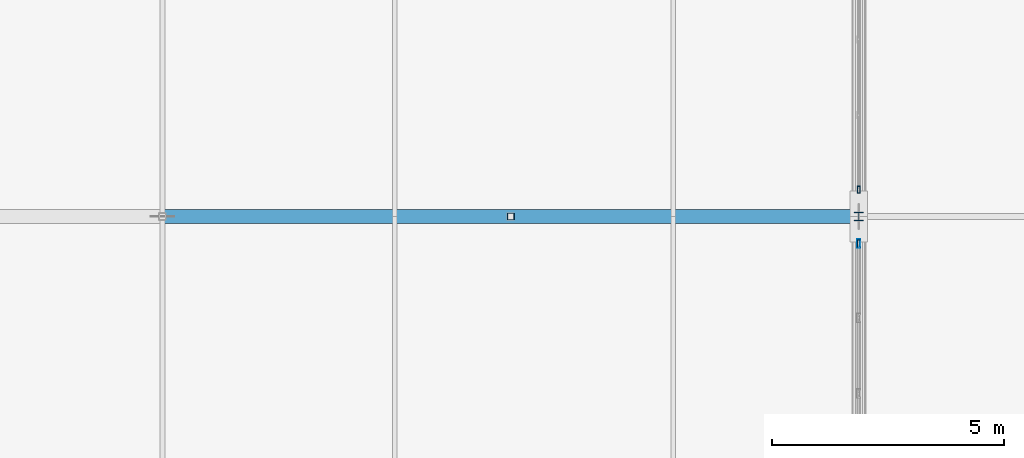
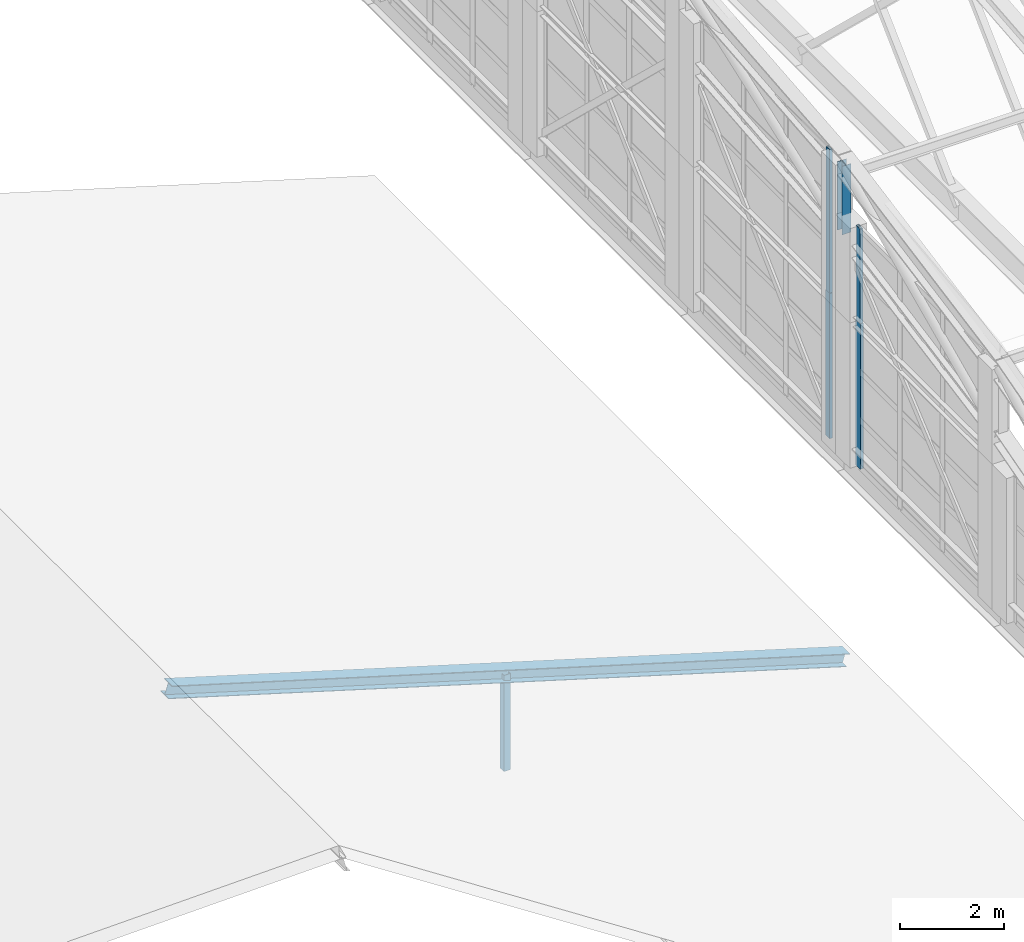
# One storey, part 78 of 204: 7 members, 4 elements without a shape of their own.
"""IFC4 building model written with IfcOpenShell, lengths in metres."""

from ifc_helpers import new_model, si_unit, direction, frame, origin, origin_2d, place, context, subcontext, project, spatial, hollow_rectangle, i_section, extrude, material, layer, layer_set, material_profile, profile_set, type_object, element, aggregate, save


model = new_model("IFC4")

# Units and contexts
model_context = context("Model", 3, precision=1e-05, world=origin(), true_north=direction((0.0, 1.0)))
body_context = subcontext(model_context, "Body", "Model", "MODEL_VIEW")
ifc_project = project(units=[si_unit("LENGTHUNIT", "METRE"), si_unit("AREAUNIT", "SQUARE_METRE"), si_unit("VOLUMEUNIT", "CUBIC_METRE"), si_unit("PLANEANGLEUNIT", "RADIAN"), si_unit("MASSUNIT", "GRAM", prefix="KILO")], contexts=[model_context])

# Site, building, storey
site_placement = place(None, origin())
site = spatial("IfcSite", under=ifc_project, at=site_placement, CompositionType="ELEMENT")
building_placement = place(site_placement, origin())
building = spatial("IfcBuilding", under=site, at=building_placement, Name="Zilviju Railside Exhibition Hall", CompositionType="ELEMENT")
storey_placement = place(building_placement, frame((0.0, 0.0, 21.0)))
storey = spatial("IfcBuildingStorey", under=building, at=storey_placement, Name="RF", CompositionType="ELEMENT", Elevation=21.0)

# Curtain wall, member
ifc_material_1 = material(Name="Thermally broken aluminium-steel triple-glazed curtain wall", Category="steel")
ifc_layer_1 = layer(ifc_material_1, 0.179931640625)
ifc_layer_set_1 = layer_set([ifc_layer_1], Name="Thermally broken aluminium-steel triple-glazed curtain wall")
curtain_wall_type_1 = type_object("IfcCurtainWallType", Name="CW-BAY-09", PredefinedType="USERDEFINED", material=ifc_layer_set_1)
curtain_wall_1_placement = place(storey_placement, origin())
curtain_wall_1 = element("IfcCurtainWall", 1, at=curtain_wall_1_placement, inside=storey, type_object=curtain_wall_type_1, Name="North Hall Crown Arch Tympanum Glazing West P4", ObjectType="GLAZED CURTAIN WALL", PredefinedType="USERDEFINED")
ifc_material_2 = material(Name="Thermally broken anodized aluminium mullion", Category="aluminium")
ifc_material_profile_1 = material_profile(ifc_material_2, hollow_rectangle(XDim=0.06005859375, YDim=0.139892578125, WallThickness=0.0048828125, at=origin_2d()), Name="MULLION 140x60x5")
ifc_profile_set_1 = profile_set([ifc_material_profile_1], Name="Thermally broken anodized aluminium mullion")
member_type_1 = type_object("IfcMemberType", Name="CWM-60x140", PredefinedType="MULLION", material=ifc_profile_set_1)
member_1_placement = place(storey_placement, frame((78.0, 102.580078125, -0.199951171875), z_axis=(0.0, 0.0, 1.0), x_axis=(-1.0, 0.0, 0.0)))
member_1 = element("IfcMember", 2, at=member_1_placement, type_object=member_type_1, Name="CW-09 mullion 1", PredefinedType="MULLION", context=body_context, shape_type="SweptSolid", body=[
    extrude(hollow_rectangle(XDim=0.06005859375, YDim=0.139892578125, WallThickness=0.0048828125, at=origin_2d()), origin(), (0.0, 0.0, 1.0), 3.35546875),
])
aggregate(curtain_wall_1, [member_1])

ifc_layer_2 = layer(ifc_material_1, 0.179931640625)
ifc_layer_set_2 = layer_set([ifc_layer_2], Name="Thermally broken aluminium-steel triple-glazed curtain wall")
curtain_wall_type_2 = type_object("IfcCurtainWallType", Name="CW-BAY-02", PredefinedType="USERDEFINED", material=ifc_layer_set_2)
curtain_wall_2_placement = place(storey_placement, origin())
curtain_wall_2 = element("IfcCurtainWall", 3, at=curtain_wall_2_placement, inside=storey, type_object=curtain_wall_type_2, Name="North Hall Arch Lower Tympanum Glazing West P4", ObjectType="GLAZED CURTAIN WALL", PredefinedType="USERDEFINED")
ifc_material_profile_2 = material_profile(ifc_material_2, hollow_rectangle(XDim=0.06494140625, YDim=0.159912109375, WallThickness=0.0048828125, at=origin_2d()), Name="MULLION 160x65x5")
ifc_profile_set_2 = profile_set([ifc_material_profile_2], Name="Thermally broken anodized aluminium mullion")
member_type_2 = type_object("IfcMemberType", Name="CWM-65x160", PredefinedType="MULLION", material=ifc_profile_set_2)
member_2_placement = place(storey_placement, frame((78.0, 102.58251953125, -3.60009765625), z_axis=(0.0, 0.0, 1.0), x_axis=(-1.0, 0.0, 0.0)))
member_2 = element("IfcMember", 4, at=member_2_placement, type_object=member_type_2, Name="CW-02 mullion 1", PredefinedType="MULLION", context=body_context, shape_type="SweptSolid", body=[
    extrude(hollow_rectangle(XDim=0.06494140625, YDim=0.159912109375, WallThickness=0.0048828125, at=origin_2d()), origin(), (0.0, 0.0, 1.0), 3.400146484375),
])
aggregate(curtain_wall_2, [member_2])

ifc_layer_3 = layer(ifc_material_1, 0.179931640625)
ifc_layer_set_3 = layer_set([ifc_layer_3], Name="Thermally broken aluminium-steel triple-glazed curtain wall")
curtain_wall_type_3 = type_object("IfcCurtainWallType", Name="CW-BAY-08", PredefinedType="USERDEFINED", material=ifc_layer_set_3)
curtain_wall_3_placement = place(storey_placement, origin())
curtain_wall_3 = element("IfcCurtainWall", 5, at=curtain_wall_3_placement, inside=storey, type_object=curtain_wall_type_3, Name="North Hall Crown Arch Tympanum Glazing West P3", ObjectType="GLAZED CURTAIN WALL", PredefinedType="USERDEFINED")
member_3_placement = place(storey_placement, frame((78.0, 101.41748046875, -0.199951171875), z_axis=(0.0, 0.0, 1.0), x_axis=(-1.0, 0.0, 0.0)))
member_3 = element("IfcMember", 6, at=member_3_placement, type_object=member_type_2, Name="CW-08 mullion 4", PredefinedType="MULLION", context=body_context, shape_type="SweptSolid", body=[
    extrude(hollow_rectangle(XDim=0.06494140625, YDim=0.159912109375, WallThickness=0.0048828125, at=origin_2d()), origin(), (0.0, 0.0, 1.0), 2.209716796875),
])
aggregate(curtain_wall_3, [member_3])

ifc_layer_4 = layer(ifc_material_1, 0.179931640625)
ifc_layer_set_4 = layer_set([ifc_layer_4], Name="Thermally broken aluminium-steel triple-glazed curtain wall")
curtain_wall_type_4 = type_object("IfcCurtainWallType", Name="CW-BAY-01", PredefinedType="USERDEFINED", material=ifc_layer_set_4)
curtain_wall_4_placement = place(storey_placement, origin())
curtain_wall_4 = element("IfcCurtainWall", 7, at=curtain_wall_4_placement, inside=storey, type_object=curtain_wall_type_4, Name="North Hall Arch Lower Tympanum Glazing West P3", ObjectType="GLAZED CURTAIN WALL", PredefinedType="USERDEFINED")
ifc_material_profile_3 = material_profile(ifc_material_2, hollow_rectangle(XDim=0.070068359375, YDim=0.179931640625, WallThickness=0.0048828125, at=origin_2d()), Name="MULLION 180x70x5")
ifc_profile_set_3 = profile_set([ifc_material_profile_3], Name="Thermally broken anodized aluminium mullion")
member_type_3 = type_object("IfcMemberType", Name="CWM-70x180", PredefinedType="MULLION", material=ifc_profile_set_3)
member_4_placement = place(storey_placement, frame((78.0, 101.4150390625, -3.60009765625), z_axis=(0.0, 0.0, 1.0), x_axis=(-1.0, 0.0, 0.0)))
member_4 = element("IfcMember", 8, at=member_4_placement, type_object=member_type_3, Name="CW-01 mullion 4", PredefinedType="MULLION", context=body_context, shape_type="SweptSolid", body=[
    extrude(hollow_rectangle(XDim=0.070068359375, YDim=0.179931640625, WallThickness=0.0048828125, at=origin_2d()), origin(), (0.0, 0.0, 1.0), 3.400146484375),
])
aggregate(curtain_wall_4, [member_4])

# Members
ifc_material_3 = material(Name="Steel S355ML", Category="steel")
ifc_material_profile_4 = material_profile(ifc_material_3, i_section(OverallWidth=0.199951171875, OverallDepth=0.18994140625, WebThickness=0.006591796875, FlangeThickness=0.010009765625, at=origin_2d()), Name="HEA 200")
ifc_profile_set_4 = profile_set([ifc_material_profile_4], Name="Steel S355ML")
member_type_4 = type_object("IfcMemberType", Name="TR-POST-HEA200", PredefinedType="POST", material=ifc_profile_set_4)
member_5_placement = place(storey_placement, frame((78.0, 102.0, 1.5556640625), z_axis=(0.0, 0.0, 1.0), x_axis=(1.0, 0.0, 0.0)))
element("IfcMember", 9, at=member_5_placement, inside=storey, type_object=member_type_4, Name="V2 Parabolic Arch Web Post X=78.0 N3", PredefinedType="POST", context=body_context, shape_type="SweptSolid", body=[
    extrude(i_section(OverallWidth=0.199951171875, OverallDepth=0.18994140625, WebThickness=0.006591796875, FlangeThickness=0.010009765625, at=origin_2d()), origin(), (0.0, 0.0, 1.0), 1.599853515625),
])
ifc_material_4 = material(Name="Steel S355J2", Category="steel")
ifc_material_profile_5 = material_profile(ifc_material_4, hollow_rectangle(XDim=0.14990234375, YDim=0.14990234375, WallThickness=0.008056640625, at=origin_2d()), Name="SHS 150x150x8.0")
ifc_profile_set_5 = profile_set([ifc_material_profile_5], Name="Steel S355J2")
member_type_5 = type_object("IfcMemberType", Name="TR-POST-SHS150", PredefinedType="POST", material=ifc_profile_set_5)
member_6_placement = place(storey_placement, frame((70.5, 102.0, -8.39990234375), z_axis=(0.0, 0.0, 1.0), x_axis=(1.0, 0.0, 0.0)))
element("IfcMember", 10, at=member_6_placement, inside=storey, type_object=member_type_5, Name="Concourse Saddle Queen Post Y=102.0", PredefinedType="POST", context=body_context, shape_type="SweptSolid", body=[
    extrude(hollow_rectangle(XDim=0.14990234375, YDim=0.14990234375, WallThickness=0.008056640625, at=origin_2d()), origin(), (0.0, 0.0, 1.0), 2.25),
])
ifc_material_profile_6 = material_profile(ifc_material_4, i_section(OverallWidth=0.300048828125, OverallDepth=0.2900390625, WebThickness=0.008544921875, FlangeThickness=0.013916015625, at=origin_2d()), Name="HEA 300")
ifc_profile_set_6 = profile_set([ifc_material_profile_6], Name="Steel S355J2")
member_type_6 = type_object("IfcMemberType", Name="TR-RAF-HEA300", PredefinedType="RAFTER", material=ifc_profile_set_6)
member_7_placement = place(storey_placement, frame((63.0, 102.0, -3.89990234375), z_axis=(0.957826285221, 0.0, -0.287347885566), x_axis=(0.0, 1.0, 0.0)))
element("IfcMember", 11, at=member_7_placement, inside=storey, type_object=member_type_6, Name="Concourse Saddle East Rafter Y=102.0", PredefinedType="RAFTER", context=body_context, shape_type="SweptSolid", body=[
    extrude(i_section(OverallWidth=0.300048828125, OverallDepth=0.2900390625, WebThickness=0.008544921875, FlangeThickness=0.013916015625, at=origin_2d()), origin(), (0.0, 0.0, 1.0), 15.660400390625),
])

save(model, "model.ifc")
